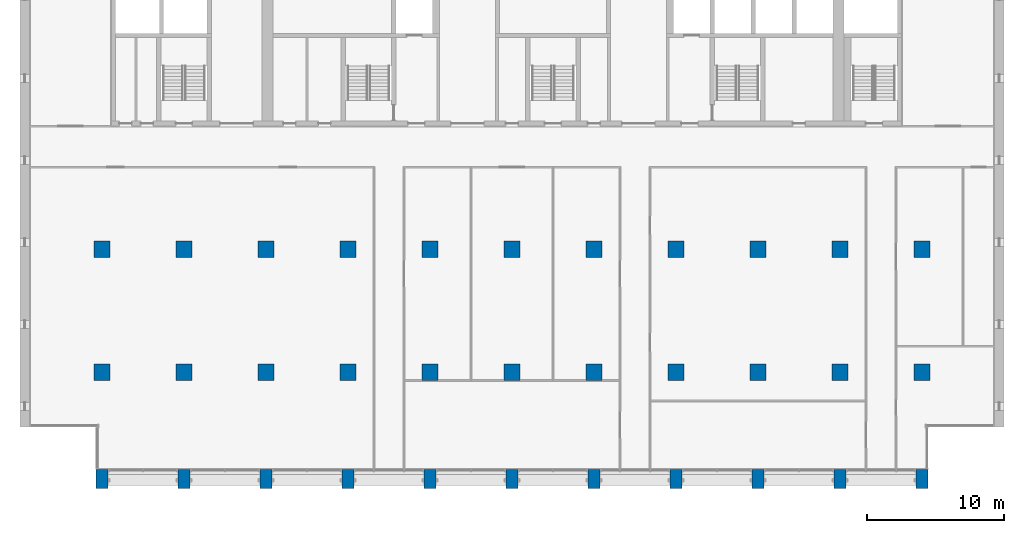
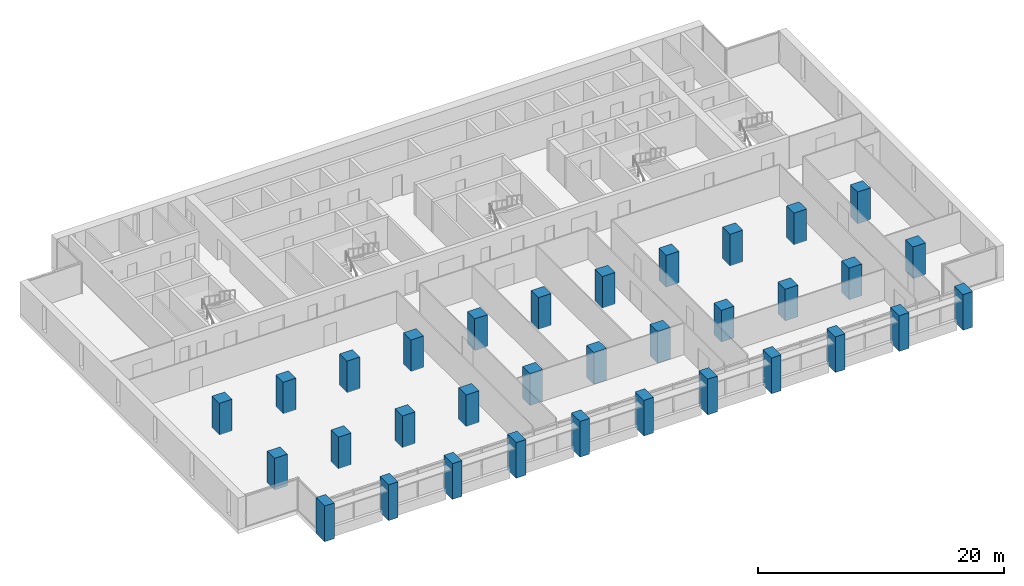
# One storey, part 1 of 15: 33 columns.
"""IFC4 building model written with IfcOpenShell, lengths in metres."""

from ifc_helpers import new_model, si_unit, direction, frame, origin, origin_2d, place, context, subcontext, project, spatial, rectangle, extrude, material, material_profile, profile_set, type_object, element, save


model = new_model("IFC4")

# Units and contexts
model_context = context("Model", 3, precision=1e-05, world=origin(), true_north=direction((0.0, 1.0)))
body_context = subcontext(model_context, "Body", "Model", "MODEL_VIEW")
ifc_project = project(units=[si_unit("LENGTHUNIT", "METRE"), si_unit("AREAUNIT", "SQUARE_METRE"), si_unit("VOLUMEUNIT", "CUBIC_METRE"), si_unit("PLANEANGLEUNIT", "RADIAN"), si_unit("MASSUNIT", "GRAM", prefix="KILO")], contexts=[model_context])

# Site, building, storey
site_placement = place(None, origin())
site = spatial("IfcSite", under=ifc_project, at=site_placement, CompositionType="ELEMENT")
building_placement = place(site_placement, origin())
building = spatial("IfcBuilding", under=site, at=building_placement, Name="Calvaro Tower", CompositionType="ELEMENT")
storey_placement = place(building_placement, frame((0.0, 0.0, 155.0)))
storey = spatial("IfcBuildingStorey", under=building, at=storey_placement, Name="L39", CompositionType="ELEMENT", Elevation=155.0)

# Columns
ifc_material_1 = material(Name="Concrete C60/75", Category="concrete")
ifc_material_profile_1 = material_profile(ifc_material_1, rectangle(XDim=1.199951171875, YDim=1.199951171875, at=origin_2d()), Name="RC 1200x1200")
ifc_profile_set_1 = profile_set([ifc_material_profile_1], Name="Concrete C60/75")
column_type_1 = type_object("IfcColumnType", Name="Column 1200x1200 C60/75", PredefinedType="COLUMN", material=ifc_profile_set_1)
for number, where, z_axis, x_axis, name in (
    (1, (6.0, 10.0, 0.0), (0.0, 0.0, 1.0), (1.0, 0.0, 0.0), "Column 2B"),
    (2, (6.0, 19.0, 0.0), (0.0, 0.0, 1.0), (1.0, 0.0, 0.0), "Column 2C"),
    (3, (12.0, 10.0, 0.0), (0.0, 0.0, 1.0), (1.0, 0.0, 0.0), "Column 3B"),
    (4, (12.0, 19.0, 0.0), (0.0, 0.0, 1.0), (1.0, 0.0, 0.0), "Column 3C"),
    (5, (18.0, 10.0, 0.0), (0.0, 0.0, 1.0), (1.0, 0.0, 0.0), "Column 4B"),
    (6, (18.0, 19.0, 0.0), (0.0, 0.0, 1.0), (1.0, 0.0, 0.0), "Column 4C"),
    (7, (24.0, 10.0, 0.0), (0.0, 0.0, 1.0), (1.0, 0.0, 0.0), "Column 5B"),
    (8, (24.0, 19.0, 0.0), (0.0, 0.0, 1.0), (1.0, 0.0, 0.0), "Column 5C"),
    (9, (30.0, 10.0, 0.0), (0.0, 0.0, 1.0), (1.0, 0.0, 0.0), "Column 6B"),
    (10, (30.0, 19.0, 0.0), (0.0, 0.0, 1.0), (1.0, 0.0, 0.0), "Column 6C"),
    (11, (36.0, 10.0, 0.0), (0.0, 0.0, 1.0), (1.0, 0.0, 0.0), "Column 7B"),
    (12, (36.0, 19.0, 0.0), (0.0, 0.0, 1.0), (1.0, 0.0, 0.0), "Column 7C"),
    (13, (42.0, 10.0, 0.0), (0.0, 0.0, 1.0), (1.0, 0.0, 0.0), "Column 8B"),
    (14, (42.0, 19.0, 0.0), (0.0, 0.0, 1.0), (1.0, 0.0, 0.0), "Column 8C"),
    (15, (48.0, 10.0, 0.0), (0.0, 0.0, 1.0), (1.0, 0.0, 0.0), "Column 9B"),
    (16, (48.0, 19.0, 0.0), (0.0, 0.0, 1.0), (1.0, 0.0, 0.0), "Column 9C"),
    (17, (54.0, 10.0, 0.0), (0.0, 0.0, 1.0), (1.0, 0.0, 0.0), "Column 10B"),
    (18, (54.0, 19.0, 0.0), (0.0, 0.0, 1.0), (1.0, 0.0, 0.0), "Column 10C"),
    (19, (60.0, 10.0, 0.0), (0.0, 0.0, 1.0), (1.0, 0.0, 0.0), "Column 11B"),
    (20, (60.0, 19.0, 0.0), (0.0, 0.0, 1.0), (1.0, 0.0, 0.0), "Column 11C"),
    (21, (66.0, 10.0, 0.0), (0.0, 0.0, 1.0), (1.0, 0.0, 0.0), "Column 12B"),
    (22, (66.0, 19.0, 0.0), (0.0, 0.0, 1.0), (1.0, 0.0, 0.0), "Column 12C"),
):
    element("IfcColumn", number, at=place(storey_placement, frame(where, z_axis=z_axis, x_axis=x_axis)), inside=storey, type_object=column_type_1, Name=name, PredefinedType="COLUMN", context=body_context, shape_type="SweptSolid", body=[
        extrude(rectangle(XDim=1.199951171875, YDim=1.199951171875, at=origin_2d()), origin(), (0.0, 0.0, 1.0), 3.14990234375),
    ])
ifc_material_2 = material(Name="Concrete C60/75", Category="concrete")
ifc_material_profile_2 = material_profile(ifc_material_2, rectangle(XDim=0.89990234375, YDim=1.39990234375, at=origin_2d()), Name="RC 900x1400")
ifc_profile_set_2 = profile_set([ifc_material_profile_2], Name="Concrete C60/75")
column_type_2 = type_object("IfcColumnType", Name="Pier 900x1400 C60/75", PredefinedType="COLUMN", material=ifc_profile_set_2)
for number, where, z_axis, x_axis, name in (
    (23, (6.0, 2.199951171875, -0.39990234375), (0.0, 0.0, 1.0), (1.0, 0.0, 0.0), "South pier 2"),
    (24, (12.0, 2.199951171875, -0.39990234375), (0.0, 0.0, 1.0), (1.0, 0.0, 0.0), "South pier 3"),
    (25, (18.0, 2.199951171875, -0.39990234375), (0.0, 0.0, 1.0), (1.0, 0.0, 0.0), "South pier 4"),
    (26, (24.0, 2.199951171875, -0.39990234375), (0.0, 0.0, 1.0), (1.0, 0.0, 0.0), "South pier 5"),
    (27, (30.0, 2.199951171875, -0.39990234375), (0.0, 0.0, 1.0), (1.0, 0.0, 0.0), "South pier 6"),
    (28, (36.0, 2.199951171875, -0.39990234375), (0.0, 0.0, 1.0), (1.0, 0.0, 0.0), "South pier 7"),
    (29, (42.0, 2.199951171875, -0.39990234375), (0.0, 0.0, 1.0), (1.0, 0.0, 0.0), "South pier 8"),
    (30, (48.0, 2.199951171875, -0.39990234375), (0.0, 0.0, 1.0), (1.0, 0.0, 0.0), "South pier 9"),
    (31, (54.0, 2.199951171875, -0.39990234375), (0.0, 0.0, 1.0), (1.0, 0.0, 0.0), "South pier 10"),
    (32, (60.0, 2.199951171875, -0.39990234375), (0.0, 0.0, 1.0), (1.0, 0.0, 0.0), "South pier 11"),
    (33, (66.0, 2.199951171875, -0.39990234375), (0.0, 0.0, 1.0), (1.0, 0.0, 0.0), "South pier 12"),
):
    element("IfcColumn", number, at=place(storey_placement, frame(where, z_axis=z_axis, x_axis=x_axis)), inside=storey, type_object=column_type_2, Name=name, PredefinedType="COLUMN", context=body_context, shape_type="SweptSolid", body=[
        extrude(rectangle(XDim=0.89990234375, YDim=1.39990234375, at=origin_2d()), origin(), (0.0, 0.0, 1.0), 3.5498046875),
    ])

save(model, "model.ifc")
